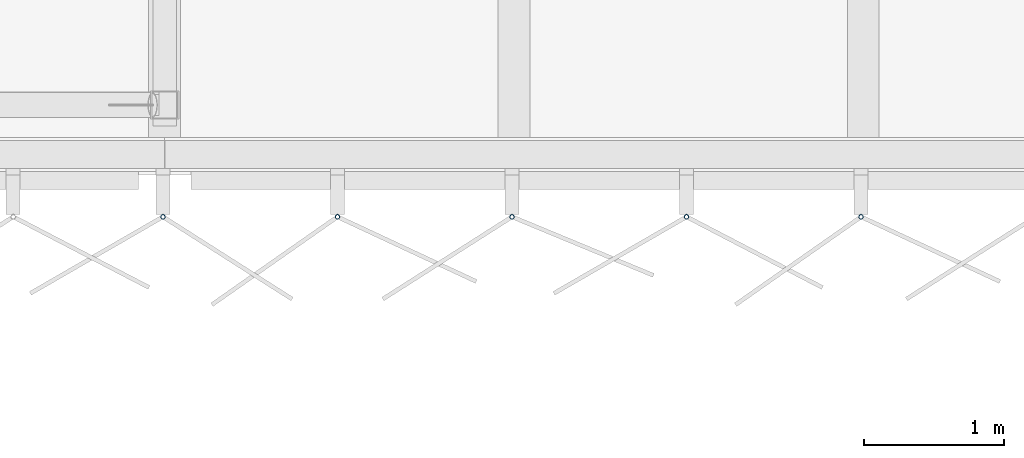
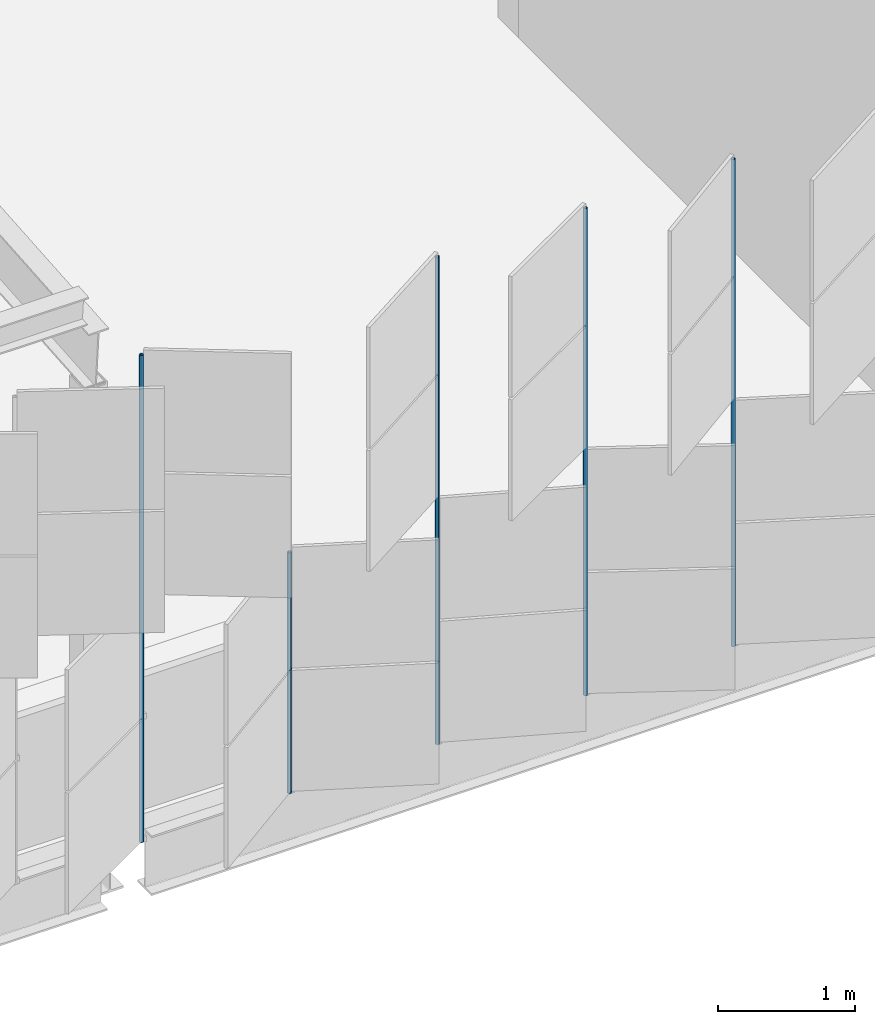
# One storey, part 140 of 483: 5 discrete accessories.
"""IFC4 building model written with IfcOpenShell, lengths in metres."""

from ifc_helpers import new_model, si_unit, direction, frame, origin, origin_2d, place, context, subcontext, project, spatial, hollow_circle, extrude, material, material_profile, profile_set, type_object, element, save


model = new_model("IFC4")

# Units and contexts
model_context = context("Model", 3, precision=1e-05, world=origin(), true_north=direction((0.0, 1.0)))
body_context = subcontext(model_context, "Body", "Model", "MODEL_VIEW")
ifc_project = project(units=[si_unit("LENGTHUNIT", "METRE"), si_unit("AREAUNIT", "SQUARE_METRE"), si_unit("VOLUMEUNIT", "CUBIC_METRE"), si_unit("PLANEANGLEUNIT", "RADIAN"), si_unit("MASSUNIT", "GRAM", prefix="KILO")], contexts=[model_context])

# Site, building, storey
site_placement = place(None, origin())
site = spatial("IfcSite", under=ifc_project, at=site_placement, CompositionType="ELEMENT")
building_placement = place(site_placement, origin())
building = spatial("IfcBuilding", under=site, at=building_placement, Name="Parallax Yard Mobility Hub", CompositionType="ELEMENT")
storey_placement = place(building_placement, frame((0.0, 0.0, 13.199951171875)))
storey = spatial("IfcBuildingStorey", under=building, at=storey_placement, Name="L04", CompositionType="ELEMENT", Elevation=13.199951171875)

# Discrete accessories
ifc_material = material(Name="Steel ASTM A500 Gr C, hot-dip galvanised", Category="steel")
ifc_material_profile = material_profile(ifc_material, hollow_circle(Radius=0.016845703125, WallThickness=0.003173828125, at=origin_2d()), Name="CHS 33.7x3.2")
ifc_profile_set = profile_set([ifc_material_profile], Name="Steel ASTM A500 Gr C, hot-dip galvanised")
discrete_accessory_type = type_object("IfcDiscreteAccessoryType", Name="Hinge post CHS 33.7x3.2", PredefinedType="BRACKET", material=ifc_profile_set)
discrete_accessory_1_placement = place(storey_placement, frame((59.9873046875, 112.199951171875, 0.0), z_axis=(0.0, 0.0, 1.0), x_axis=(1.0, 0.0, 0.0)))
element("IfcDiscreteAccessory", 1, at=discrete_accessory_1_placement, inside=storey, type_object=discrete_accessory_type, Name="Hinge post bay 5.1 level L04", PredefinedType="BRACKET", context=body_context, shape_type="SweptSolid", body=[
    extrude(hollow_circle(Radius=0.016845703125, WallThickness=0.003173828125, at=origin_2d()), origin(), (0.0, 0.0, 1.0), 4.35009765625),
])
discrete_accessory_2_placement = place(storey_placement, frame((61.236572265625, 112.199951171875, 0.0), z_axis=(0.0, 0.0, 1.0), x_axis=(1.0, 0.0, 0.0)))
element("IfcDiscreteAccessory", 2, at=discrete_accessory_2_placement, inside=storey, type_object=discrete_accessory_type, Name="Hinge post bay 5.2 level L04", PredefinedType="BRACKET", context=body_context, shape_type="SweptSolid", body=[
    extrude(hollow_circle(Radius=0.016845703125, WallThickness=0.003173828125, at=origin_2d()), origin(), (0.0, 0.0, 1.0), 2.150146484375),
])
for number, where, z_axis, x_axis, name in (
    (3, (62.48583984375, 112.199951171875, 0.0), (0.0, 0.0, 1.0), (1.0, 0.0, 0.0), "Hinge post bay 5.3 level L04"),
    (4, (63.735107421875, 112.199951171875, 0.0), (0.0, 0.0, 1.0), (1.0, 0.0, 0.0), "Hinge post bay 5.4 level L04"),
    (5, (64.984375, 112.199951171875, 0.0), (0.0, 0.0, 1.0), (1.0, 0.0, 0.0), "Hinge post bay 5.5 level L04"),
):
    element("IfcDiscreteAccessory", number, at=place(storey_placement, frame(where, z_axis=z_axis, x_axis=x_axis)), inside=storey, type_object=discrete_accessory_type, Name=name, PredefinedType="BRACKET", context=body_context, shape_type="SweptSolid", body=[
        extrude(hollow_circle(Radius=0.016845703125, WallThickness=0.003173828125, at=origin_2d()), origin(), (0.0, 0.0, 1.0), 4.35009765625),
    ])

save(model, "model.ifc")
